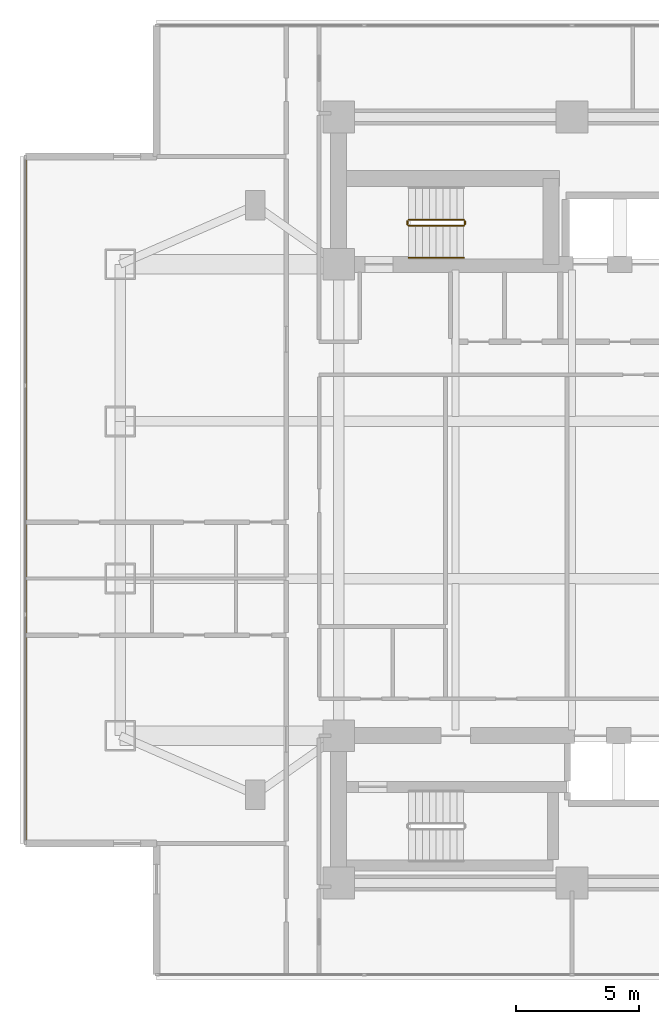
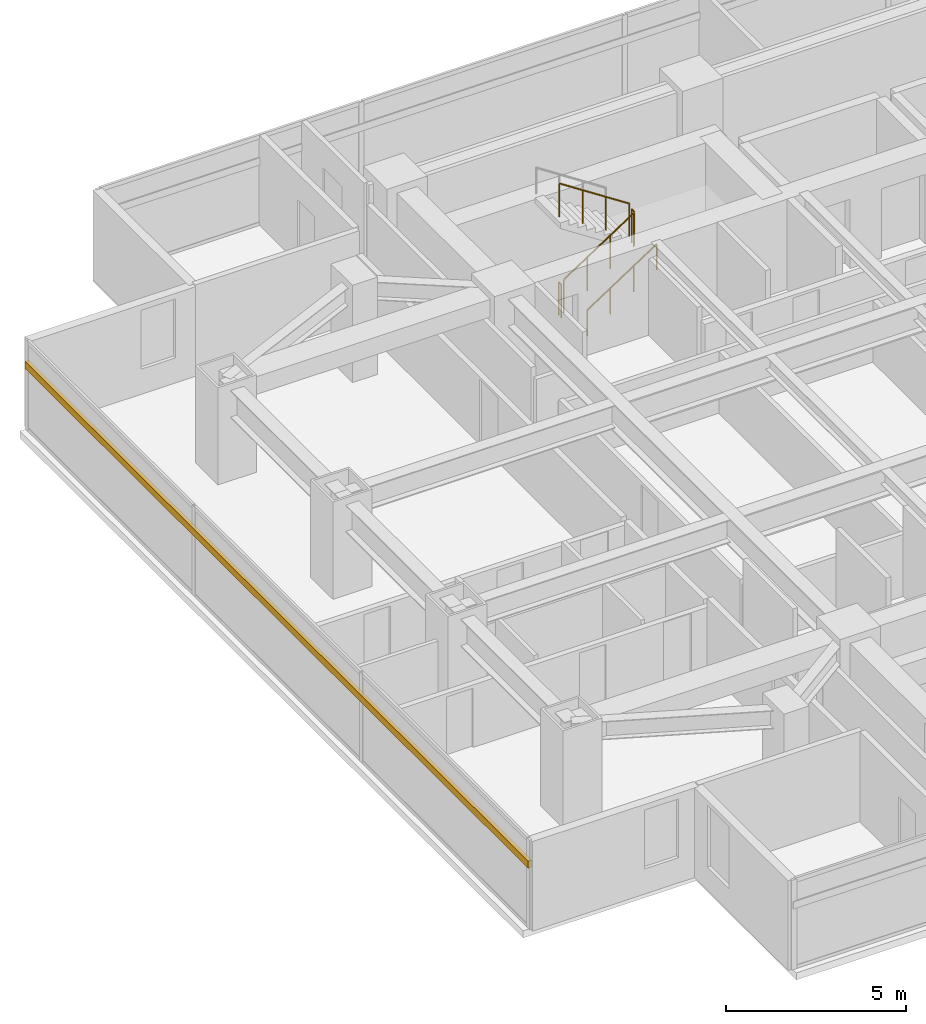
# One storey, part 21 of 24: 5 railings, 1 shading device.
"""IFC4 building model written with IfcOpenShell, lengths in metres."""

from ifc_helpers import new_model, si_unit, direction, frame, origin, origin_2d, place, context, subcontext, project, spatial, rectangle, circle, extrude, material, material_profile, profile_set, type_object, element, save


model = new_model("IFC4")

# Units and contexts
model_context = context("Model", 3, precision=1e-05, world=origin(), true_north=direction((0.0, 1.0)))
body_context = subcontext(model_context, "Body", "Model", "MODEL_VIEW")
ifc_project = project(units=[si_unit("LENGTHUNIT", "METRE"), si_unit("AREAUNIT", "SQUARE_METRE"), si_unit("VOLUMEUNIT", "CUBIC_METRE"), si_unit("PLANEANGLEUNIT", "RADIAN"), si_unit("MASSUNIT", "GRAM", prefix="KILO")], contexts=[model_context])

# Site, building, storey
site_placement = place(None, origin())
site = spatial("IfcSite", under=ifc_project, at=site_placement, CompositionType="ELEMENT")
building_placement = place(site_placement, origin())
building = spatial("IfcBuilding", under=site, at=building_placement, Name="Mirazonda Arch Towers", CompositionType="ELEMENT")
storey_placement = place(building_placement, frame((0.0, 0.0, 71.89990234375)))
storey = spatial("IfcBuildingStorey", under=building, at=storey_placement, Name="L20", CompositionType="ELEMENT", Elevation=71.89990234375)

# Shading device
ifc_material_1 = material(Name="Kiln-Fired Architectural Terracotta", Category="masonry")
ifc_material_profile = material_profile(ifc_material_1, rectangle(XDim=0.1201171875, YDim=0.239990234375, at=origin_2d()), Name="TERRA-BAG-120x240")
ifc_profile_set = profile_set([ifc_material_profile], Name="Kiln-Fired Architectural Terracotta")
shading_device_type = type_object("IfcShadingDeviceType", Name="BAGUETTE-1", PredefinedType="USERDEFINED", material=ifc_profile_set)
shading_device_placement = place(storey_placement, frame((-1.760009765625, 41.988037109375, 2.18896484375), z_axis=(0.0, -1.0, 0.0), x_axis=(1.0, 0.0, 0.0)))
element("IfcShadingDevice", 1, at=shading_device_placement, inside=storey, type_object=shading_device_type, Name="L20 Glazed Terracotta Sun-Screen Baguette CW-L20-T1-W", ObjectType="BAGUETTE", PredefinedType="USERDEFINED", context=body_context, shape_type="SweptSolid", body=[
    extrude(rectangle(XDim=0.1201171875, YDim=0.239990234375, at=origin_2d()), origin(), (0.0, 0.0, 1.0), 27.97607421875),
])

# Railings
ifc_material_2 = material(Name="Architectural Brushed Steel S355", Category="steel")
railing_type_1 = type_object("IfcRailingType", Name="GUARD-STAIR-1120", PredefinedType="GUARDRAIL", material=ifc_material_2)
railing_1_placement = place(storey_placement, frame((13.85009765625, 39.169921875, 0.183349609375)))
element("IfcRailing", 2, at=railing_1_placement, inside=storey, type_object=railing_type_1, Name="L20 ST-T1N stair guard 1", PredefinedType="GUARDRAIL", context=body_context, shape_type="SweptSolid", body=[
    extrude(circle(Radius=0.02392578125, at=origin_2d()), frame((0.0, 0.0, 1.1259765625), z_axis=(0.836595146698, 0.0, 0.547821650285), x_axis=(0.0, 1.0, 0.0)), (0.0, 0.0, 1.0), 2.677490234375),
    extrude(circle(Radius=0.02099609375, at=origin_2d()), origin(), (0.0, 0.0, 1.0), 1.101806640625),
    extrude(circle(Radius=0.02099609375, at=origin_2d()), frame((0.74658203125, 0.0, 0.489013671875)), (0.0, 0.0, 1.0), 1.101806640625),
    extrude(circle(Radius=0.02099609375, at=origin_2d()), frame((1.493408203125, 0.0, 0.977783203125)), (0.0, 0.0, 1.0), 1.101806640625),
    extrude(circle(Radius=0.02099609375, at=origin_2d()), frame((2.239990234375, 0.0, 1.466796875)), (0.0, 0.0, 1.0), 1.101806640625),
])
railing_2_placement = place(storey_placement, frame((16.139892578125, 39.219970703125, 1.650146484375)))
element("IfcRailing", 3, at=railing_2_placement, inside=storey, type_object=railing_type_1, Name="L20 ST-T1N stair guard 2", PredefinedType="GUARDRAIL", context=body_context, shape_type="SweptSolid", body=[
    extrude(circle(Radius=0.02392578125, at=origin_2d()), frame((0.0, 0.0, 1.1259765625), z_axis=(0.0, 1.0, 0.0), x_axis=(-1.0, 0.0, 0.0)), (0.0, 0.0, 1.0), 0.14013671875),
    extrude(circle(Radius=0.02099609375, at=origin_2d()), origin(), (0.0, 0.0, 1.0), 1.101806640625),
    extrude(circle(Radius=0.02099609375, at=origin_2d()), frame((0.0, 0.14013671875, 0.0)), (0.0, 0.0, 1.0), 1.101806640625),
])
railing_3_placement = place(storey_placement, frame((16.090087890625, 39.409912109375, 1.83349609375)))
element("IfcRailing", 4, at=railing_3_placement, inside=storey, type_object=railing_type_1, Name="L20 ST-T1N stair guard 3", PredefinedType="GUARDRAIL", context=body_context, shape_type="SweptSolid", body=[
    extrude(circle(Radius=0.02392578125, at=origin_2d()), frame((0.0, 0.0, 1.1259765625), z_axis=(-0.836636935527, 0.0, 0.547757827979), x_axis=(0.0, -1.0, 0.0)), (0.0, 0.0, 1.0), 2.677490234375),
    extrude(circle(Radius=0.02099609375, at=origin_2d()), origin(), (0.0, 0.0, 1.0), 1.101806640625),
    extrude(circle(Radius=0.02099609375, at=origin_2d()), frame((-0.74658203125, 0.0, 0.48876953125)), (0.0, 0.0, 1.0), 1.101806640625),
    extrude(circle(Radius=0.02099609375, at=origin_2d()), frame((-1.493408203125, 0.0, 0.977783203125)), (0.0, 0.0, 1.0), 1.101806640625),
    extrude(circle(Radius=0.02099609375, at=origin_2d()), frame((-2.239990234375, 0.0, 1.466552734375)), (0.0, 0.0, 1.0), 1.101806640625),
])
railing_4_placement = place(storey_placement, frame((13.800048828125, 39.219970703125, 0.0)))
element("IfcRailing", 5, at=railing_4_placement, inside=storey, type_object=railing_type_1, Name="L20 ST-T1N stair guard 4", PredefinedType="GUARDRAIL", context=body_context, shape_type="SweptSolid", body=[
    extrude(circle(Radius=0.02392578125, at=origin_2d()), frame((0.0, 0.0, 1.1259765625), z_axis=(0.0, 1.0, 0.0), x_axis=(-1.0, 0.0, 0.0)), (0.0, 0.0, 1.0), 0.14013671875),
    extrude(circle(Radius=0.02099609375, at=origin_2d()), origin(), (0.0, 0.0, 1.0), 1.101806640625),
    extrude(circle(Radius=0.02099609375, at=origin_2d()), frame((0.0, 0.14013671875, 0.0)), (0.0, 0.0, 1.0), 1.101806640625),
])
railing_type_2 = type_object("IfcRailingType", Name="HANDRAIL-915", PredefinedType="HANDRAIL", material=ifc_material_2)
railing_5_placement = place(storey_placement, frame((13.85009765625, 37.8701171875, 0.183349609375)))
element("IfcRailing", 6, at=railing_5_placement, inside=storey, type_object=railing_type_2, Name="L20 ST-T1N stair handrail 1", PredefinedType="HANDRAIL", context=body_context, shape_type="SweptSolid", body=[
    extrude(circle(Radius=0.02392578125, at=origin_2d()), frame((0.0, 0.0, 0.8759765625), z_axis=(0.836595146698, 0.0, 0.547821650285), x_axis=(0.0, 1.0, 0.0)), (0.0, 0.0, 1.0), 2.677490234375),
    extrude(circle(Radius=0.02099609375, at=origin_2d()), origin(), (0.0, 0.0, 1.0), 0.851806640625),
    extrude(circle(Radius=0.02099609375, at=origin_2d()), frame((0.74658203125, 0.0, 0.489013671875)), (0.0, 0.0, 1.0), 0.851806640625),
    extrude(circle(Radius=0.02099609375, at=origin_2d()), frame((1.493408203125, 0.0, 0.977783203125)), (0.0, 0.0, 1.0), 0.851806640625),
    extrude(circle(Radius=0.02099609375, at=origin_2d()), frame((2.239990234375, 0.0, 1.466796875)), (0.0, 0.0, 1.0), 0.851806640625),
])

save(model, "model.ifc")
